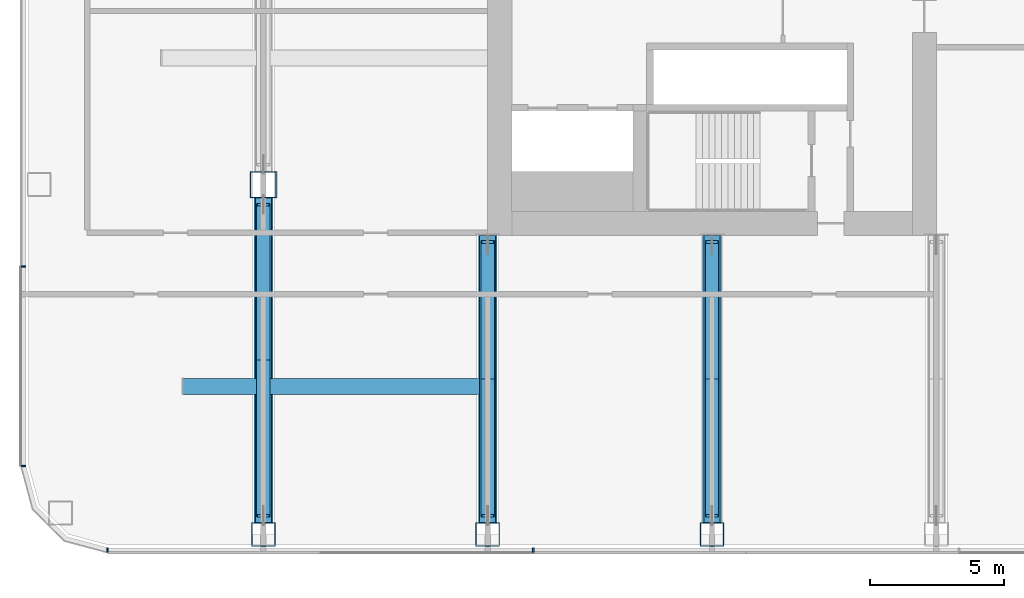
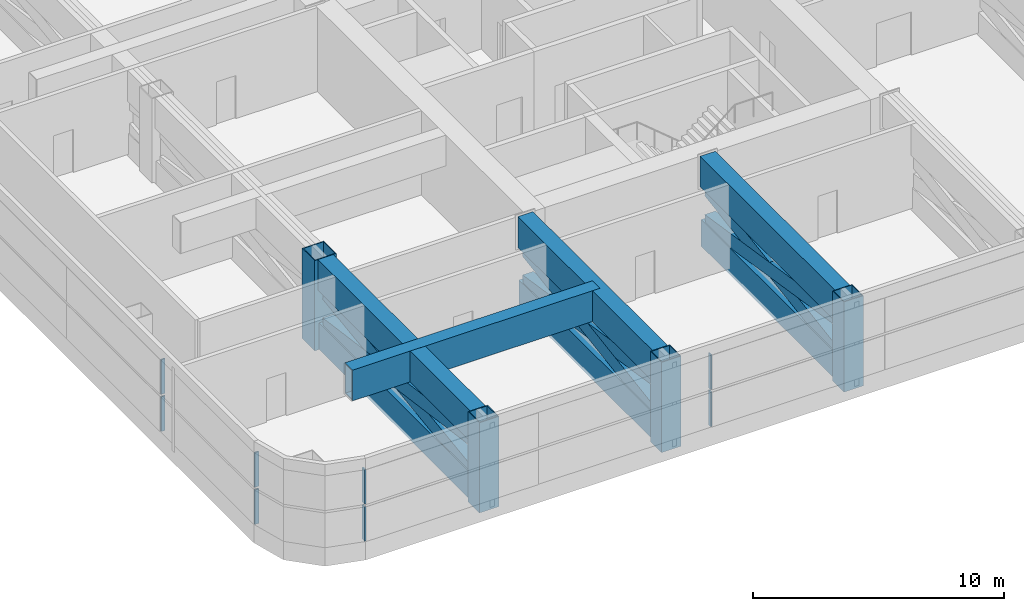
# One storey, part 2 of 30: 24 members, 1 beam, 2 elements without a shape of their own.
"""IFC4 building model written with IfcOpenShell, lengths in metres."""

from ifc_helpers import new_model, si_unit, direction, frame, origin, origin_2d, place, context, subcontext, project, spatial, rectangle, hollow_rectangle, extrude, material, layer, layer_set, material_profile, profile_set, type_object, element, aggregate, save


model = new_model("IFC4")

# Units and contexts
model_context = context("Model", 3, precision=1e-05, world=origin(), true_north=direction((0.0, 1.0)))
body_context = subcontext(model_context, "Body", "Model", "MODEL_VIEW")
ifc_project = project(units=[si_unit("LENGTHUNIT", "METRE"), si_unit("AREAUNIT", "SQUARE_METRE"), si_unit("VOLUMEUNIT", "CUBIC_METRE"), si_unit("PLANEANGLEUNIT", "RADIAN"), si_unit("MASSUNIT", "GRAM", prefix="KILO")], contexts=[model_context])

# Site, building, storey
site_placement = place(None, origin())
site = spatial("IfcSite", under=ifc_project, at=site_placement, CompositionType="ELEMENT")
building_placement = place(site_placement, origin())
building = spatial("IfcBuilding", under=site, at=building_placement, Name="Hakoniwa Tower and Hamabe Station Hall", CompositionType="ELEMENT")
storey_placement = place(building_placement, frame((0.0, 0.0, 64.60009765625)))
storey = spatial("IfcBuildingStorey", under=building, at=storey_placement, Name="L18", CompositionType="ELEMENT", Elevation=64.60009765625)

# Curtain wall, members
ifc_material_1 = material(Name="Dark low-e laminated glass", Category="glass")
ifc_layer = layer(ifc_material_1, 0.199951171875)
ifc_layer_set = layer_set([ifc_layer], Name="CW-6 PLANT LOUVRE")
curtain_wall_type = type_object("IfcCurtainWallType", Name="CW-6 PLANT LOUVRE", PredefinedType="NOTDEFINED", material=ifc_layer_set)
curtain_wall_1_placement = place(storey_placement, origin())
curtain_wall_1 = element("IfcCurtainWall", 1, at=curtain_wall_1_placement, inside=storey, type_object=curtain_wall_type, Name="CW-6 curtain wall", PredefinedType="NOTDEFINED")
ifc_material_2 = material(Name="Aluminium 6063-T5 black anodised", Category="aluminium")
ifc_material_profile_1 = material_profile(ifc_material_2, rectangle(XDim=0.06005859375, YDim=0.179931640625, at=origin_2d()), Name="CW-1 MULLION 60X180")
ifc_profile_set_1 = profile_set([ifc_material_profile_1], Name="Aluminium 6063-T5 black anodised")
member_type_1 = type_object("IfcMemberType", Name="CW-1 MULLION 60X180", PredefinedType="MULLION", material=ifc_profile_set_1)
member_1_placement = place(storey_placement, frame((-50.98193359375, -9.57373046875, 0.349853515625), z_axis=(0.0, 0.0, 1.0), x_axis=(0.0, -1.0, 0.0)))
member_1 = element("IfcMember", 2, at=member_1_placement, type_object=member_type_1, Name="CW-6 mullion", PredefinedType="MULLION", context=body_context, shape_type="SweptSolid", body=[
    extrude(rectangle(XDim=0.06005859375, YDim=0.179931640625, at=origin_2d()), origin(), (0.0, 0.0, 1.0), 1.68994140625),
])
member_2_placement = place(storey_placement, frame((-50.98193359375, -9.57373046875, 2.159912109375), z_axis=(0.0, 0.0, 1.0), x_axis=(0.0, -1.0, 0.0)))
member_2 = element("IfcMember", 3, at=member_2_placement, type_object=member_type_1, Name="CW-6 mullion", PredefinedType="MULLION", context=body_context, shape_type="SweptSolid", body=[
    extrude(rectangle(XDim=0.06005859375, YDim=0.179931640625, at=origin_2d()), origin(), (0.0, 0.0, 1.0), 1.68994140625),
])
member_3_placement = place(storey_placement, frame((-50.98193359375, -17.03955078125, 0.349853515625), z_axis=(0.0, 0.0, 1.0), x_axis=(0.0, -1.0, 0.0)))
member_3 = element("IfcMember", 4, at=member_3_placement, type_object=member_type_1, Name="CW-6 mullion", PredefinedType="MULLION", context=body_context, shape_type="SweptSolid", body=[
    extrude(rectangle(XDim=0.06005859375, YDim=0.179931640625, at=origin_2d()), origin(), (0.0, 0.0, 1.0), 1.68994140625),
])
member_4_placement = place(storey_placement, frame((-50.98193359375, -17.03955078125, 2.159912109375), z_axis=(0.0, 0.0, 1.0), x_axis=(0.0, -1.0, 0.0)))
member_4 = element("IfcMember", 5, at=member_4_placement, type_object=member_type_1, Name="CW-6 mullion", PredefinedType="MULLION", context=body_context, shape_type="SweptSolid", body=[
    extrude(rectangle(XDim=0.06005859375, YDim=0.179931640625, at=origin_2d()), origin(), (0.0, 0.0, 1.0), 1.68994140625),
])
aggregate(curtain_wall_1, [member_1, member_2, member_3, member_4])

curtain_wall_2_placement = place(storey_placement, origin())
curtain_wall_2 = element("IfcCurtainWall", 6, at=curtain_wall_2_placement, inside=storey, type_object=curtain_wall_type, Name="CW-6 curtain wall", PredefinedType="NOTDEFINED")
member_5_placement = place(storey_placement, frame((-47.839599609375, -20.181884765625, 0.349853515625), z_axis=(0.0, 0.0, 1.0), x_axis=(1.0, 0.0, 0.0)))
member_5 = element("IfcMember", 7, at=member_5_placement, type_object=member_type_1, Name="CW-6 mullion", PredefinedType="MULLION", context=body_context, shape_type="SweptSolid", body=[
    extrude(rectangle(XDim=0.06005859375, YDim=0.179931640625, at=origin_2d()), origin(), (0.0, 0.0, 1.0), 1.68994140625),
])
member_6_placement = place(storey_placement, frame((-47.839599609375, -20.181884765625, 2.159912109375), z_axis=(0.0, 0.0, 1.0), x_axis=(1.0, 0.0, 0.0)))
member_6 = element("IfcMember", 8, at=member_6_placement, type_object=member_type_1, Name="CW-6 mullion", PredefinedType="MULLION", context=body_context, shape_type="SweptSolid", body=[
    extrude(rectangle(XDim=0.06005859375, YDim=0.179931640625, at=origin_2d()), origin(), (0.0, 0.0, 1.0), 1.68994140625),
])
member_7_placement = place(storey_placement, frame((-31.89306640625, -20.181884765625, 0.349853515625), z_axis=(0.0, 0.0, 1.0), x_axis=(1.0, 0.0, 0.0)))
member_7 = element("IfcMember", 9, at=member_7_placement, type_object=member_type_1, Name="CW-6 mullion", PredefinedType="MULLION", context=body_context, shape_type="SweptSolid", body=[
    extrude(rectangle(XDim=0.06005859375, YDim=0.179931640625, at=origin_2d()), origin(), (0.0, 0.0, 1.0), 1.68994140625),
])
member_8_placement = place(storey_placement, frame((-31.89306640625, -20.181884765625, 2.159912109375), z_axis=(0.0, 0.0, 1.0), x_axis=(1.0, 0.0, 0.0)))
member_8 = element("IfcMember", 10, at=member_8_placement, type_object=member_type_1, Name="CW-6 mullion", PredefinedType="MULLION", context=body_context, shape_type="SweptSolid", body=[
    extrude(rectangle(XDim=0.06005859375, YDim=0.179931640625, at=origin_2d()), origin(), (0.0, 0.0, 1.0), 1.68994140625),
])
aggregate(curtain_wall_2, [member_5, member_6, member_7, member_8])

# Beam
ifc_material_3 = material(Name="Steel SN490C", Category="steel")
ifc_material_profile_2 = material_profile(ifc_material_3, hollow_rectangle(XDim=0.60009765625, YDim=1.5, WallThickness=0.054931640625, at=origin_2d()), Name="BX-1500x600x55")
ifc_profile_set_2 = profile_set([ifc_material_profile_2], Name="Steel SN490C")
beam_type = type_object("IfcBeamType", Name="TRANSFER GIRDER BX-1500x600x55", PredefinedType="BEAM", material=ifc_profile_set_2)
beam_placement = place(storey_placement, frame((-45.0029296875, -14.052978515625, 3.349853515625), z_axis=(1.0, 0.0, 0.0), x_axis=(0.0, 1.0, 0.0)))
element("IfcBeam", 11, at=beam_placement, inside=storey, type_object=beam_type, Name="Truss L18-XG1", PredefinedType="BEAM", context=body_context, shape_type="SweptSolid", body=[
    extrude(hollow_rectangle(XDim=0.60009765625, YDim=1.5, WallThickness=0.054931640625, at=origin_2d()), origin(), (0.0, 0.0, 1.0), 11.40283203125),
])

# Members
ifc_material_4 = material(Name="Steel SN490C", Category="steel")
ifc_material_profile_3 = material_profile(ifc_material_4, hollow_rectangle(XDim=0.60009765625, YDim=1.300048828125, WallThickness=0.050048828125, at=origin_2d()), Name="BX-1300x600x50")
ifc_profile_set_3 = profile_set([ifc_material_profile_3], Name="Steel SN490C")
member_type_2 = type_object("IfcMemberType", Name="TRUSS CHORD BX-1300x600x50", PredefinedType="CHORD", material=ifc_profile_set_3)
member_9_placement = place(storey_placement, frame((-42.0, -19.14990234375, 0.349853515625), z_axis=(0.0, 1.0, 0.0), x_axis=(-1.0, 0.0, 0.0)))
element("IfcMember", 12, at=member_9_placement, inside=storey, type_object=member_type_2, Name="Truss T1-05-BC01", PredefinedType="CHORD", context=body_context, shape_type="SweptSolid", body=[
    extrude(hollow_rectangle(XDim=0.60009765625, YDim=1.300048828125, WallThickness=0.050048828125, at=origin_2d()), origin(), (0.0, 0.0, 1.0), 12.14990234375),
])
for number, where, z_axis, x_axis, name in (
    (13, (-33.60009765625, -19.14990234375, 0.349853515625), (0.0, 1.0, 0.0), (-1.0, 0.0, 0.0), "Truss T1-06-BC01"),
    (14, (-25.199951171875, -19.14990234375, 0.349853515625), (0.0, 1.0, 0.0), (-1.0, 0.0, 0.0), "Truss T1-08-BC01"),
):
    element("IfcMember", number, at=place(storey_placement, frame(where, z_axis=z_axis, x_axis=x_axis)), inside=storey, type_object=member_type_2, Name=name, PredefinedType="CHORD", context=body_context, shape_type="SweptSolid", body=[
        extrude(hollow_rectangle(XDim=0.60009765625, YDim=1.300048828125, WallThickness=0.050048828125, at=origin_2d()), origin(), (0.0, 0.0, 1.0), 10.75),
    ])
ifc_material_5 = material(Name="Steel SN490C", Category="steel")
ifc_material_profile_4 = material_profile(ifc_material_5, hollow_rectangle(XDim=0.699951171875, YDim=1.5, WallThickness=0.054931640625, at=origin_2d()), Name="BX-1500x700x55")
ifc_profile_set_4 = profile_set([ifc_material_profile_4], Name="Steel SN490C")
member_type_3 = type_object("IfcMemberType", Name="TRUSS CHORD BX-1500x700x55", PredefinedType="CHORD", material=ifc_profile_set_4)
member_10_placement = place(storey_placement, frame((-42.0, -19.14990234375, 3.349853515625), z_axis=(0.0, 1.0, 0.0), x_axis=(-1.0, 0.0, 0.0)))
element("IfcMember", 15, at=member_10_placement, inside=storey, type_object=member_type_3, Name="Truss T1-05-TC01", PredefinedType="CHORD", context=body_context, shape_type="SweptSolid", body=[
    extrude(hollow_rectangle(XDim=0.699951171875, YDim=1.5, WallThickness=0.054931640625, at=origin_2d()), origin(), (0.0, 0.0, 1.0), 12.14990234375),
])
for number, where, z_axis, x_axis, name in (
    (16, (-33.60009765625, -19.14990234375, 3.349853515625), (0.0, 1.0, 0.0), (-1.0, 0.0, 0.0), "Truss T1-06-TC01"),
    (17, (-25.199951171875, -19.14990234375, 3.349853515625), (0.0, 1.0, 0.0), (-1.0, 0.0, 0.0), "Truss T1-08-TC01"),
):
    element("IfcMember", number, at=place(storey_placement, frame(where, z_axis=z_axis, x_axis=x_axis)), inside=storey, type_object=member_type_3, Name=name, PredefinedType="CHORD", context=body_context, shape_type="SweptSolid", body=[
        extrude(hollow_rectangle(XDim=0.699951171875, YDim=1.5, WallThickness=0.054931640625, at=origin_2d()), origin(), (0.0, 0.0, 1.0), 10.75),
    ])
ifc_material_6 = material(Name="Steel SN490C", Category="steel")
ifc_material_profile_5 = material_profile(ifc_material_6, hollow_rectangle(XDim=0.5, YDim=0.699951171875, WallThickness=0.031982421875, at=origin_2d()), Name="BX-700x500x32")
ifc_profile_set_5 = profile_set([ifc_material_profile_5], Name="Steel SN490C")
member_type_4 = type_object("IfcMemberType", Name="TRUSS DIAGONAL BX-700x500x32", PredefinedType="BRACE", material=ifc_profile_set_5)
for number, where, z_axis, x_axis, name in (
    (18, (-42.0, -18.89990234375, 1.0), (0.0, 0.990701870054, 0.136050743), (-1.0, 0.0, 0.0), "Truss T1-05-D01a"),
    (19, (-42.0, -18.89990234375, 2.599853515625), (0.0, 0.990701870054, -0.136050743), (-1.0, 0.0, 0.0), "Truss T1-05-D01b"),
):
    element("IfcMember", number, at=place(storey_placement, frame(where, z_axis=z_axis, x_axis=x_axis)), inside=storey, type_object=member_type_4, Name=name, PredefinedType="BRACE", context=body_context, shape_type="SweptSolid", body=[
        extrude(hollow_rectangle(XDim=0.5, YDim=0.699951171875, WallThickness=0.031982421875, at=origin_2d()), origin(), (0.0, 0.0, 1.0), 11.75927734375),
    ])
for number, where, z_axis, x_axis, name in (
    (20, (-33.60009765625, -18.89990234375, 1.0), (0.0, 0.988037147164, 0.15421606863), (-1.0, 0.0, 0.0), "Truss T1-06-D01a"),
    (21, (-33.60009765625, -18.89990234375, 2.599853515625), (0.0, 0.988037147164, -0.15421606863), (-1.0, 0.0, 0.0), "Truss T1-06-D01b"),
    (22, (-25.199951171875, -18.89990234375, 1.0), (0.0, 0.988037147164, 0.15421606863), (-1.0, 0.0, 0.0), "Truss T1-08-D01a"),
    (23, (-25.199951171875, -18.89990234375, 2.599853515625), (0.0, 0.988037147164, -0.15421606863), (-1.0, 0.0, 0.0), "Truss T1-08-D01b"),
):
    element("IfcMember", number, at=place(storey_placement, frame(where, z_axis=z_axis, x_axis=x_axis)), inside=storey, type_object=member_type_4, Name=name, PredefinedType="BRACE", context=body_context, shape_type="SweptSolid", body=[
        extrude(hollow_rectangle(XDim=0.5, YDim=0.699951171875, WallThickness=0.031982421875, at=origin_2d()), origin(), (0.0, 0.0, 1.0), 10.3740234375),
    ])
ifc_material_7 = material(Name="Steel SN490C", Category="steel")
ifc_material_profile_6 = material_profile(ifc_material_7, hollow_rectangle(XDim=1.0, YDim=1.0, WallThickness=0.0400390625, at=origin_2d()), Name="BX-1000x1000x40")
ifc_profile_set_6 = profile_set([ifc_material_profile_6], Name="Steel SN490C")
member_type_5 = type_object("IfcMemberType", Name="TRUSS POST BX-1000x1000x40", PredefinedType="POST", material=ifc_profile_set_6)
member_11_placement = place(storey_placement, frame((-42.0, -6.5, -0.300048828125), z_axis=(0.0, 0.0, 1.0), x_axis=(1.0, 0.0, 0.0)))
element("IfcMember", 24, at=member_11_placement, inside=storey, type_object=member_type_5, Name="Truss T1-05-P02", PredefinedType="POST", context=body_context, shape_type="SweptSolid", body=[
    extrude(hollow_rectangle(XDim=1.0, YDim=1.0, WallThickness=0.0400390625, at=origin_2d()), origin(), (0.0, 0.0, 1.0), 4.39990234375),
])
ifc_material_8 = material(Name="Steel SN490C", Category="steel")
ifc_material_profile_7 = material_profile(ifc_material_8, hollow_rectangle(XDim=0.89990234375, YDim=0.89990234375, WallThickness=0.035888671875, at=origin_2d()), Name="BX-900x900x36")
ifc_profile_set_7 = profile_set([ifc_material_profile_7], Name="Steel SN490C")
member_type_6 = type_object("IfcMemberType", Name="TRUSS POST BX-900x900x36", PredefinedType="POST", material=ifc_profile_set_7)
for number, where, z_axis, x_axis, name in (
    (25, (-42.0, -19.60009765625, -0.300048828125), (0.0, 0.0, 1.0), (1.0, 0.0, 0.0), "Truss T1-05-P01"),
    (26, (-33.60009765625, -19.60009765625, -0.300048828125), (0.0, 0.0, 1.0), (1.0, 0.0, 0.0), "Truss T1-06-P01"),
    (27, (-25.199951171875, -19.60009765625, -0.300048828125), (0.0, 0.0, 1.0), (1.0, 0.0, 0.0), "Truss T1-08-P01"),
):
    element("IfcMember", number, at=place(storey_placement, frame(where, z_axis=z_axis, x_axis=x_axis)), inside=storey, type_object=member_type_6, Name=name, PredefinedType="POST", context=body_context, shape_type="SweptSolid", body=[
        extrude(hollow_rectangle(XDim=0.89990234375, YDim=0.89990234375, WallThickness=0.035888671875, at=origin_2d()), origin(), (0.0, 0.0, 1.0), 4.39990234375),
    ])

save(model, "model.ifc")
